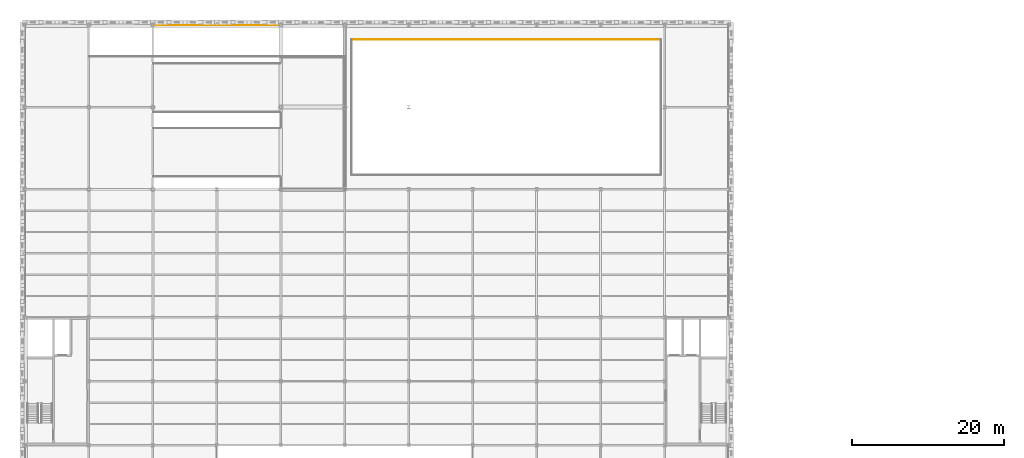
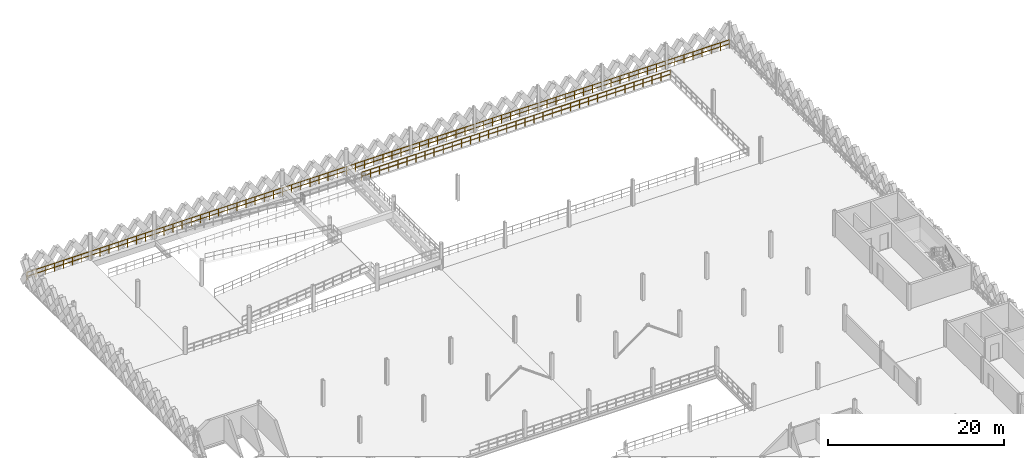
# One storey, part 71 of 74: 2 railings.
"""IFC4 building model written with IfcOpenShell, lengths in metres."""

from ifc_helpers import new_model, si_unit, direction, frame, origin, origin_2d, place, context, subcontext, project, spatial, circle, extrude, material, type_object, element, save


model = new_model("IFC4")

# Units and contexts
model_context = context("Model", 3, precision=1e-05, world=origin(), true_north=direction((0.0, 1.0)))
body_context = subcontext(model_context, "Body", "Model", "MODEL_VIEW")
ifc_project = project(units=[si_unit("LENGTHUNIT", "METRE"), si_unit("AREAUNIT", "SQUARE_METRE"), si_unit("VOLUMEUNIT", "CUBIC_METRE"), si_unit("PLANEANGLEUNIT", "RADIAN"), si_unit("MASSUNIT", "GRAM", prefix="KILO"), si_unit("THERMODYNAMICTEMPERATUREUNIT", "KELVIN"), si_unit("POWERUNIT", "WATT")], contexts=[model_context])

# Site, building, storey
site_placement = place(None, origin())
site = spatial("IfcSite", under=ifc_project, at=site_placement, CompositionType="ELEMENT")
building_placement = place(site_placement, origin())
building = spatial("IfcBuilding", under=site, at=building_placement, Name="Tembeka Court Mobility Hub", CompositionType="ELEMENT")
storey_placement = place(building_placement, frame((0.0, 0.0, 12.60009765625)))
storey = spatial("IfcBuildingStorey", under=building, at=storey_placement, Name="L03", CompositionType="ELEMENT", Elevation=12.60009765625)

# Railings
ifc_material = material(Name="Painted galvanised steel balustrade", Category="steel")
railing_type_1 = type_object("IfcRailingType", Name="RL-GR01", PredefinedType="GUARDRAIL", material=ifc_material)
railing_1_placement = place(storey_placement, frame((83.469970703125, 116.89990234375, 0.0)))
element("IfcRailing", 1, at=railing_1_placement, inside=storey, type_object=railing_type_1, Name="Perimeter guard GR01-0117", PredefinedType="GUARDRAIL", context=body_context, shape_type="SweptSolid", body=[
    extrude(circle(Radius=0.02392578125, at=origin_2d()), frame((0.0, 0.0, 1.09619140625), z_axis=(-1.0, 0.0, 0.0), x_axis=(0.0, -1.0, 0.0)), (0.0, 0.0, 1.0), 40.5400390625),
    extrude(circle(Radius=0.02392578125, at=origin_2d()), frame((0.0, 0.0, 0.5361328125), z_axis=(-1.0, 0.0, 0.0), x_axis=(0.0, -1.0, 0.0)), (0.0, 0.0, 1.0), 40.5400390625),
    extrude(circle(Radius=0.02099609375, at=origin_2d()), origin(), (0.0, 0.0, 1.0), 1.072021484375),
    extrude(circle(Radius=0.02099609375, at=origin_2d()), frame((-1.1923828125, 0.0, 0.0)), (0.0, 0.0, 1.0), 1.072021484375),
    extrude(circle(Radius=0.02099609375, at=origin_2d()), frame((-2.384765625, 0.0, 0.0)), (0.0, 0.0, 1.0), 1.072021484375),
    extrude(circle(Radius=0.02099609375, at=origin_2d()), frame((-3.5771484375, 0.0, 0.0)), (0.0, 0.0, 1.0), 1.072021484375),
    extrude(circle(Radius=0.02099609375, at=origin_2d()), frame((-4.76953125, 0.0, 0.0)), (0.0, 0.0, 1.0), 1.072021484375),
    extrude(circle(Radius=0.02099609375, at=origin_2d()), frame((-5.961669921875, 0.0, 0.0)), (0.0, 0.0, 1.0), 1.072021484375),
    extrude(circle(Radius=0.02099609375, at=origin_2d()), frame((-7.154052734375, 0.0, 0.0)), (0.0, 0.0, 1.0), 1.072021484375),
    extrude(circle(Radius=0.02099609375, at=origin_2d()), frame((-8.346435546875, 0.0, 0.0)), (0.0, 0.0, 1.0), 1.072021484375),
    extrude(circle(Radius=0.02099609375, at=origin_2d()), frame((-9.538818359375, 0.0, 0.0)), (0.0, 0.0, 1.0), 1.072021484375),
    extrude(circle(Radius=0.02099609375, at=origin_2d()), frame((-10.731201171875, 0.0, 0.0)), (0.0, 0.0, 1.0), 1.072021484375),
    extrude(circle(Radius=0.02099609375, at=origin_2d()), frame((-11.923583984375, 0.0, 0.0)), (0.0, 0.0, 1.0), 1.072021484375),
    extrude(circle(Radius=0.02099609375, at=origin_2d()), frame((-13.115966796875, 0.0, 0.0)), (0.0, 0.0, 1.0), 1.072021484375),
    extrude(circle(Radius=0.02099609375, at=origin_2d()), frame((-14.308349609375, 0.0, 0.0)), (0.0, 0.0, 1.0), 1.072021484375),
    extrude(circle(Radius=0.02099609375, at=origin_2d()), frame((-15.50048828125, 0.0, 0.0)), (0.0, 0.0, 1.0), 1.072021484375),
    extrude(circle(Radius=0.02099609375, at=origin_2d()), frame((-16.69287109375, 0.0, 0.0)), (0.0, 0.0, 1.0), 1.072021484375),
    extrude(circle(Radius=0.02099609375, at=origin_2d()), frame((-17.88525390625, 0.0, 0.0)), (0.0, 0.0, 1.0), 1.072021484375),
    extrude(circle(Radius=0.02099609375, at=origin_2d()), frame((-19.07763671875, 0.0, 0.0)), (0.0, 0.0, 1.0), 1.072021484375),
    extrude(circle(Radius=0.02099609375, at=origin_2d()), frame((-20.27001953125, 0.0, 0.0)), (0.0, 0.0, 1.0), 1.072021484375),
    extrude(circle(Radius=0.02099609375, at=origin_2d()), frame((-21.46240234375, 0.0, 0.0)), (0.0, 0.0, 1.0), 1.072021484375),
    extrude(circle(Radius=0.02099609375, at=origin_2d()), frame((-22.65478515625, 0.0, 0.0)), (0.0, 0.0, 1.0), 1.072021484375),
    extrude(circle(Radius=0.02099609375, at=origin_2d()), frame((-23.84716796875, 0.0, 0.0)), (0.0, 0.0, 1.0), 1.072021484375),
    extrude(circle(Radius=0.02099609375, at=origin_2d()), frame((-25.03955078125, 0.0, 0.0)), (0.0, 0.0, 1.0), 1.072021484375),
    extrude(circle(Radius=0.02099609375, at=origin_2d()), frame((-26.231689453125, 0.0, 0.0)), (0.0, 0.0, 1.0), 1.072021484375),
    extrude(circle(Radius=0.02099609375, at=origin_2d()), frame((-27.424072265625, 0.0, 0.0)), (0.0, 0.0, 1.0), 1.072021484375),
    extrude(circle(Radius=0.02099609375, at=origin_2d()), frame((-28.616455078125, 0.0, 0.0)), (0.0, 0.0, 1.0), 1.072021484375),
    extrude(circle(Radius=0.02099609375, at=origin_2d()), frame((-29.808837890625, 0.0, 0.0)), (0.0, 0.0, 1.0), 1.072021484375),
    extrude(circle(Radius=0.02099609375, at=origin_2d()), frame((-31.001220703125, 0.0, 0.0)), (0.0, 0.0, 1.0), 1.072021484375),
    extrude(circle(Radius=0.02099609375, at=origin_2d()), frame((-32.193603515625, 0.0, 0.0)), (0.0, 0.0, 1.0), 1.072021484375),
    extrude(circle(Radius=0.02099609375, at=origin_2d()), frame((-33.385986328125, 0.0, 0.0)), (0.0, 0.0, 1.0), 1.072021484375),
    extrude(circle(Radius=0.02099609375, at=origin_2d()), frame((-34.578369140625, 0.0, 0.0)), (0.0, 0.0, 1.0), 1.072021484375),
    extrude(circle(Radius=0.02099609375, at=origin_2d()), frame((-35.7705078125, 0.0, 0.0)), (0.0, 0.0, 1.0), 1.072021484375),
    extrude(circle(Radius=0.02099609375, at=origin_2d()), frame((-36.962890625, 0.0, 0.0)), (0.0, 0.0, 1.0), 1.072021484375),
    extrude(circle(Radius=0.02099609375, at=origin_2d()), frame((-38.1552734375, 0.0, 0.0)), (0.0, 0.0, 1.0), 1.072021484375),
    extrude(circle(Radius=0.02099609375, at=origin_2d()), frame((-39.34765625, 0.0, 0.0)), (0.0, 0.0, 1.0), 1.072021484375),
    extrude(circle(Radius=0.02099609375, at=origin_2d()), frame((-40.5400390625, 0.0, 0.0)), (0.0, 0.0, 1.0), 1.072021484375),
])
railing_type_2 = type_object("IfcRailingType", Name="RL-GR02", PredefinedType="GUARDRAIL", material=ifc_material)
railing_2_placement = place(storey_placement, frame((0.080078125, 118.75, 0.0)))
element("IfcRailing", 2, at=railing_2_placement, inside=storey, type_object=railing_type_2, Name="Perimeter guard GR02-0120", PredefinedType="GUARDRAIL", context=body_context, shape_type="SweptSolid", body=[
    extrude(circle(Radius=0.02392578125, at=origin_2d()), frame((0.0, 0.0, 1.09619140625), z_axis=(1.0, 0.0, 0.0), x_axis=(0.0, 1.0, 0.0)), (0.0, 0.0, 1.0), 92.239990234375),
    extrude(circle(Radius=0.02392578125, at=origin_2d()), frame((0.0, 0.0, 0.5361328125), z_axis=(1.0, 0.0, 0.0), x_axis=(0.0, 1.0, 0.0)), (0.0, 0.0, 1.0), 92.239990234375),
    extrude(circle(Radius=0.02099609375, at=origin_2d()), origin(), (0.0, 0.0, 1.0), 1.072021484375),
    extrude(circle(Radius=0.02099609375, at=origin_2d()), frame((1.197998046875, 0.0, 0.0)), (0.0, 0.0, 1.0), 1.072021484375),
    extrude(circle(Radius=0.02099609375, at=origin_2d()), frame((2.395751953125, 0.0, 0.0)), (0.0, 0.0, 1.0), 1.072021484375),
    extrude(circle(Radius=0.02099609375, at=origin_2d()), frame((3.59375, 0.0, 0.0)), (0.0, 0.0, 1.0), 1.072021484375),
    extrude(circle(Radius=0.02099609375, at=origin_2d()), frame((4.791748046875, 0.0, 0.0)), (0.0, 0.0, 1.0), 1.072021484375),
    extrude(circle(Radius=0.02099609375, at=origin_2d()), frame((5.989501953125, 0.0, 0.0)), (0.0, 0.0, 1.0), 1.072021484375),
    extrude(circle(Radius=0.02099609375, at=origin_2d()), frame((7.1875, 0.0, 0.0)), (0.0, 0.0, 1.0), 1.072021484375),
    extrude(circle(Radius=0.02099609375, at=origin_2d()), frame((8.385498046875, 0.0, 0.0)), (0.0, 0.0, 1.0), 1.072021484375),
    extrude(circle(Radius=0.02099609375, at=origin_2d()), frame((9.58349609375, 0.0, 0.0)), (0.0, 0.0, 1.0), 1.072021484375),
    extrude(circle(Radius=0.02099609375, at=origin_2d()), frame((10.78125, 0.0, 0.0)), (0.0, 0.0, 1.0), 1.072021484375),
    extrude(circle(Radius=0.02099609375, at=origin_2d()), frame((11.979248046875, 0.0, 0.0)), (0.0, 0.0, 1.0), 1.072021484375),
    extrude(circle(Radius=0.02099609375, at=origin_2d()), frame((13.17724609375, 0.0, 0.0)), (0.0, 0.0, 1.0), 1.072021484375),
    extrude(circle(Radius=0.02099609375, at=origin_2d()), frame((14.375, 0.0, 0.0)), (0.0, 0.0, 1.0), 1.072021484375),
    extrude(circle(Radius=0.02099609375, at=origin_2d()), frame((15.572998046875, 0.0, 0.0)), (0.0, 0.0, 1.0), 1.072021484375),
    extrude(circle(Radius=0.02099609375, at=origin_2d()), frame((16.77099609375, 0.0, 0.0)), (0.0, 0.0, 1.0), 1.072021484375),
    extrude(circle(Radius=0.02099609375, at=origin_2d()), frame((17.96875, 0.0, 0.0)), (0.0, 0.0, 1.0), 1.072021484375),
    extrude(circle(Radius=0.02099609375, at=origin_2d()), frame((19.166748046875, 0.0, 0.0)), (0.0, 0.0, 1.0), 1.072021484375),
    extrude(circle(Radius=0.02099609375, at=origin_2d()), frame((20.36474609375, 0.0, 0.0)), (0.0, 0.0, 1.0), 1.072021484375),
    extrude(circle(Radius=0.02099609375, at=origin_2d()), frame((21.5625, 0.0, 0.0)), (0.0, 0.0, 1.0), 1.072021484375),
    extrude(circle(Radius=0.02099609375, at=origin_2d()), frame((22.760498046875, 0.0, 0.0)), (0.0, 0.0, 1.0), 1.072021484375),
    extrude(circle(Radius=0.02099609375, at=origin_2d()), frame((23.95849609375, 0.0, 0.0)), (0.0, 0.0, 1.0), 1.072021484375),
    extrude(circle(Radius=0.02099609375, at=origin_2d()), frame((25.15625, 0.0, 0.0)), (0.0, 0.0, 1.0), 1.072021484375),
    extrude(circle(Radius=0.02099609375, at=origin_2d()), frame((26.354248046875, 0.0, 0.0)), (0.0, 0.0, 1.0), 1.072021484375),
    extrude(circle(Radius=0.02099609375, at=origin_2d()), frame((27.55224609375, 0.0, 0.0)), (0.0, 0.0, 1.0), 1.072021484375),
    extrude(circle(Radius=0.02099609375, at=origin_2d()), frame((28.750244140625, 0.0, 0.0)), (0.0, 0.0, 1.0), 1.072021484375),
    extrude(circle(Radius=0.02099609375, at=origin_2d()), frame((29.947998046875, 0.0, 0.0)), (0.0, 0.0, 1.0), 1.072021484375),
    extrude(circle(Radius=0.02099609375, at=origin_2d()), frame((31.14599609375, 0.0, 0.0)), (0.0, 0.0, 1.0), 1.072021484375),
    extrude(circle(Radius=0.02099609375, at=origin_2d()), frame((32.343994140625, 0.0, 0.0)), (0.0, 0.0, 1.0), 1.072021484375),
    extrude(circle(Radius=0.02099609375, at=origin_2d()), frame((33.541748046875, 0.0, 0.0)), (0.0, 0.0, 1.0), 1.072021484375),
    extrude(circle(Radius=0.02099609375, at=origin_2d()), frame((34.73974609375, 0.0, 0.0)), (0.0, 0.0, 1.0), 1.072021484375),
    extrude(circle(Radius=0.02099609375, at=origin_2d()), frame((35.937744140625, 0.0, 0.0)), (0.0, 0.0, 1.0), 1.072021484375),
    extrude(circle(Radius=0.02099609375, at=origin_2d()), frame((37.135498046875, 0.0, 0.0)), (0.0, 0.0, 1.0), 1.072021484375),
    extrude(circle(Radius=0.02099609375, at=origin_2d()), frame((38.33349609375, 0.0, 0.0)), (0.0, 0.0, 1.0), 1.072021484375),
    extrude(circle(Radius=0.02099609375, at=origin_2d()), frame((39.531494140625, 0.0, 0.0)), (0.0, 0.0, 1.0), 1.072021484375),
    extrude(circle(Radius=0.02099609375, at=origin_2d()), frame((40.729248046875, 0.0, 0.0)), (0.0, 0.0, 1.0), 1.072021484375),
    extrude(circle(Radius=0.02099609375, at=origin_2d()), frame((41.92724609375, 0.0, 0.0)), (0.0, 0.0, 1.0), 1.072021484375),
    extrude(circle(Radius=0.02099609375, at=origin_2d()), frame((43.125244140625, 0.0, 0.0)), (0.0, 0.0, 1.0), 1.072021484375),
    extrude(circle(Radius=0.02099609375, at=origin_2d()), frame((44.322998046875, 0.0, 0.0)), (0.0, 0.0, 1.0), 1.072021484375),
    extrude(circle(Radius=0.02099609375, at=origin_2d()), frame((45.52099609375, 0.0, 0.0)), (0.0, 0.0, 1.0), 1.072021484375),
    extrude(circle(Radius=0.02099609375, at=origin_2d()), frame((46.718994140625, 0.0, 0.0)), (0.0, 0.0, 1.0), 1.072021484375),
    extrude(circle(Radius=0.02099609375, at=origin_2d()), frame((47.9169921875, 0.0, 0.0)), (0.0, 0.0, 1.0), 1.072021484375),
    extrude(circle(Radius=0.02099609375, at=origin_2d()), frame((49.11474609375, 0.0, 0.0)), (0.0, 0.0, 1.0), 1.072021484375),
    extrude(circle(Radius=0.02099609375, at=origin_2d()), frame((50.312744140625, 0.0, 0.0)), (0.0, 0.0, 1.0), 1.072021484375),
    extrude(circle(Radius=0.02099609375, at=origin_2d()), frame((51.5107421875, 0.0, 0.0)), (0.0, 0.0, 1.0), 1.072021484375),
    extrude(circle(Radius=0.02099609375, at=origin_2d()), frame((52.70849609375, 0.0, 0.0)), (0.0, 0.0, 1.0), 1.072021484375),
    extrude(circle(Radius=0.02099609375, at=origin_2d()), frame((53.906494140625, 0.0, 0.0)), (0.0, 0.0, 1.0), 1.072021484375),
    extrude(circle(Radius=0.02099609375, at=origin_2d()), frame((55.1044921875, 0.0, 0.0)), (0.0, 0.0, 1.0), 1.072021484375),
    extrude(circle(Radius=0.02099609375, at=origin_2d()), frame((56.30224609375, 0.0, 0.0)), (0.0, 0.0, 1.0), 1.072021484375),
    extrude(circle(Radius=0.02099609375, at=origin_2d()), frame((57.500244140625, 0.0, 0.0)), (0.0, 0.0, 1.0), 1.072021484375),
    extrude(circle(Radius=0.02099609375, at=origin_2d()), frame((58.6982421875, 0.0, 0.0)), (0.0, 0.0, 1.0), 1.072021484375),
    extrude(circle(Radius=0.02099609375, at=origin_2d()), frame((59.89599609375, 0.0, 0.0)), (0.0, 0.0, 1.0), 1.072021484375),
    extrude(circle(Radius=0.02099609375, at=origin_2d()), frame((61.093994140625, 0.0, 0.0)), (0.0, 0.0, 1.0), 1.072021484375),
    extrude(circle(Radius=0.02099609375, at=origin_2d()), frame((62.2919921875, 0.0, 0.0)), (0.0, 0.0, 1.0), 1.072021484375),
    extrude(circle(Radius=0.02099609375, at=origin_2d()), frame((63.48974609375, 0.0, 0.0)), (0.0, 0.0, 1.0), 1.072021484375),
    extrude(circle(Radius=0.02099609375, at=origin_2d()), frame((64.687744140625, 0.0, 0.0)), (0.0, 0.0, 1.0), 1.072021484375),
    extrude(circle(Radius=0.02099609375, at=origin_2d()), frame((65.8857421875, 0.0, 0.0)), (0.0, 0.0, 1.0), 1.072021484375),
    extrude(circle(Radius=0.02099609375, at=origin_2d()), frame((67.083740234375, 0.0, 0.0)), (0.0, 0.0, 1.0), 1.072021484375),
    extrude(circle(Radius=0.02099609375, at=origin_2d()), frame((68.281494140625, 0.0, 0.0)), (0.0, 0.0, 1.0), 1.072021484375),
    extrude(circle(Radius=0.02099609375, at=origin_2d()), frame((69.4794921875, 0.0, 0.0)), (0.0, 0.0, 1.0), 1.072021484375),
    extrude(circle(Radius=0.02099609375, at=origin_2d()), frame((70.677490234375, 0.0, 0.0)), (0.0, 0.0, 1.0), 1.072021484375),
    extrude(circle(Radius=0.02099609375, at=origin_2d()), frame((71.875244140625, 0.0, 0.0)), (0.0, 0.0, 1.0), 1.072021484375),
    extrude(circle(Radius=0.02099609375, at=origin_2d()), frame((73.0732421875, 0.0, 0.0)), (0.0, 0.0, 1.0), 1.072021484375),
    extrude(circle(Radius=0.02099609375, at=origin_2d()), frame((74.271240234375, 0.0, 0.0)), (0.0, 0.0, 1.0), 1.072021484375),
    extrude(circle(Radius=0.02099609375, at=origin_2d()), frame((75.468994140625, 0.0, 0.0)), (0.0, 0.0, 1.0), 1.072021484375),
    extrude(circle(Radius=0.02099609375, at=origin_2d()), frame((76.6669921875, 0.0, 0.0)), (0.0, 0.0, 1.0), 1.072021484375),
    extrude(circle(Radius=0.02099609375, at=origin_2d()), frame((77.864990234375, 0.0, 0.0)), (0.0, 0.0, 1.0), 1.072021484375),
    extrude(circle(Radius=0.02099609375, at=origin_2d()), frame((79.062744140625, 0.0, 0.0)), (0.0, 0.0, 1.0), 1.072021484375),
    extrude(circle(Radius=0.02099609375, at=origin_2d()), frame((80.2607421875, 0.0, 0.0)), (0.0, 0.0, 1.0), 1.072021484375),
    extrude(circle(Radius=0.02099609375, at=origin_2d()), frame((81.458740234375, 0.0, 0.0)), (0.0, 0.0, 1.0), 1.072021484375),
    extrude(circle(Radius=0.02099609375, at=origin_2d()), frame((82.656494140625, 0.0, 0.0)), (0.0, 0.0, 1.0), 1.072021484375),
    extrude(circle(Radius=0.02099609375, at=origin_2d()), frame((83.8544921875, 0.0, 0.0)), (0.0, 0.0, 1.0), 1.072021484375),
    extrude(circle(Radius=0.02099609375, at=origin_2d()), frame((85.052490234375, 0.0, 0.0)), (0.0, 0.0, 1.0), 1.072021484375),
    extrude(circle(Radius=0.02099609375, at=origin_2d()), frame((86.25048828125, 0.0, 0.0)), (0.0, 0.0, 1.0), 1.072021484375),
    extrude(circle(Radius=0.02099609375, at=origin_2d()), frame((87.4482421875, 0.0, 0.0)), (0.0, 0.0, 1.0), 1.072021484375),
    extrude(circle(Radius=0.02099609375, at=origin_2d()), frame((88.646240234375, 0.0, 0.0)), (0.0, 0.0, 1.0), 1.072021484375),
    extrude(circle(Radius=0.02099609375, at=origin_2d()), frame((89.84423828125, 0.0, 0.0)), (0.0, 0.0, 1.0), 1.072021484375),
    extrude(circle(Radius=0.02099609375, at=origin_2d()), frame((91.0419921875, 0.0, 0.0)), (0.0, 0.0, 1.0), 1.072021484375),
    extrude(circle(Radius=0.02099609375, at=origin_2d()), frame((92.239990234375, 0.0, 0.0)), (0.0, 0.0, 1.0), 1.072021484375),
])

save(model, "model.ifc")
